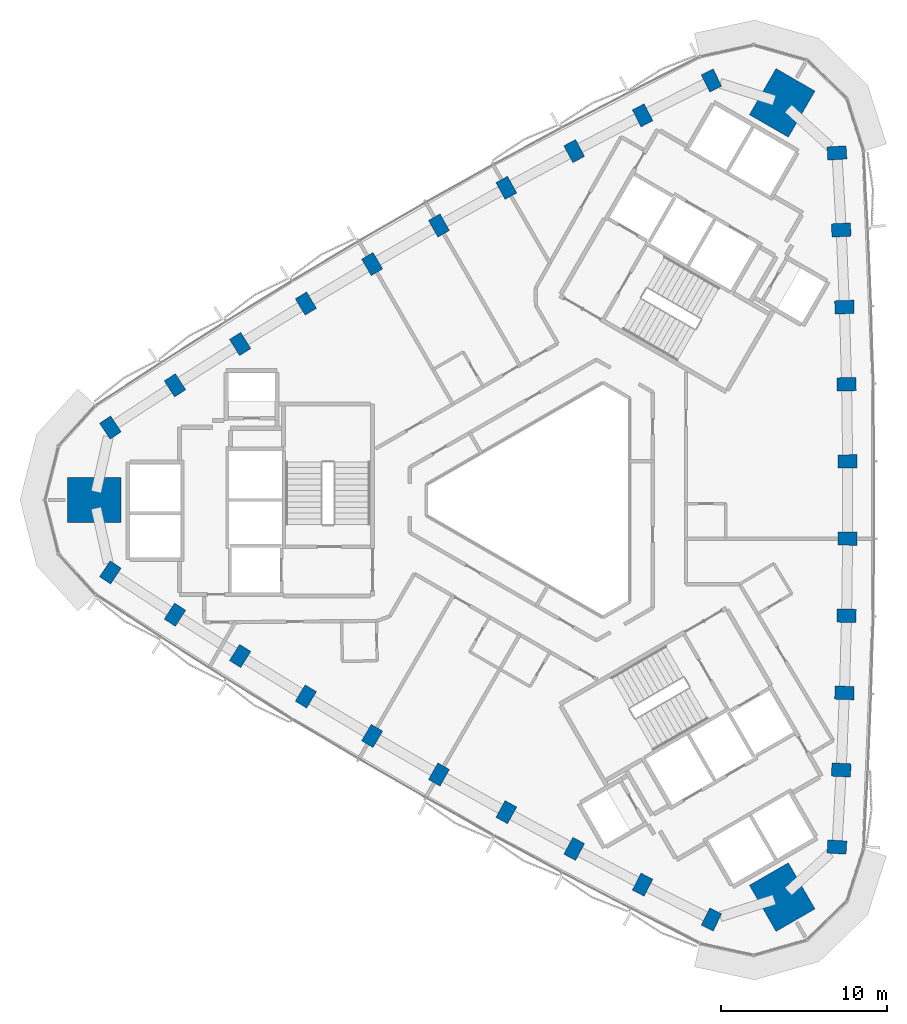
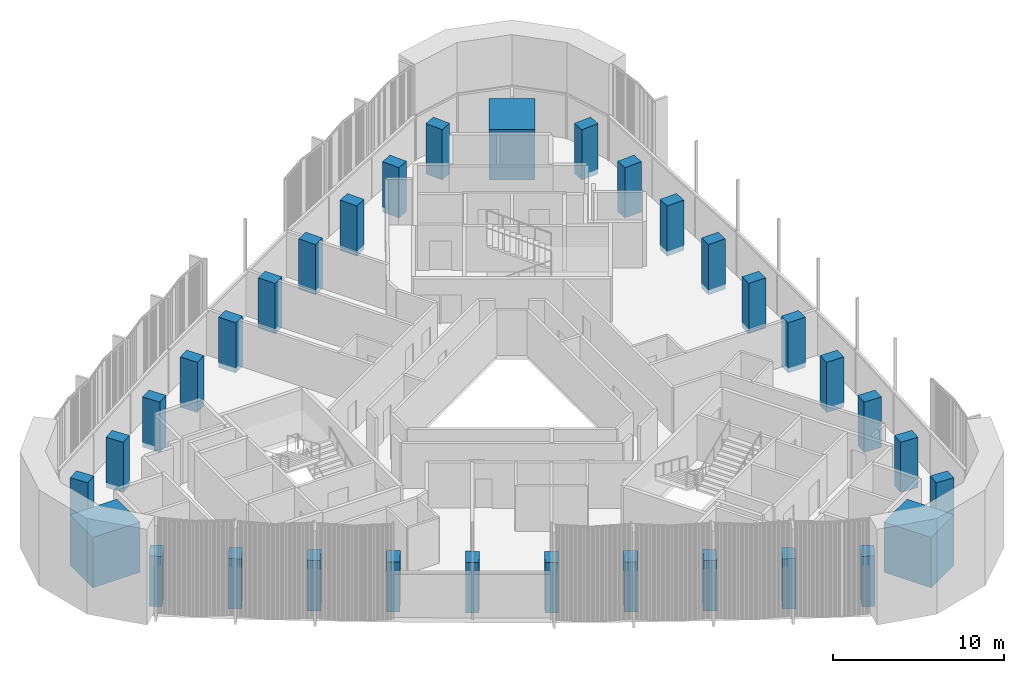
# One storey, part 1 of 14: 33 columns.
"""IFC4 building model written with IfcOpenShell, lengths in metres."""

from ifc_helpers import new_model, si_unit, direction, frame, origin, origin_2d, place, context, subcontext, project, spatial, rectangle, extrude, material, material_profile, profile_set, type_object, element, save


model = new_model("IFC4")

# Units and contexts
model_context = context("Model", 3, precision=1e-05, world=origin(), true_north=direction((0.0, 1.0)))
body_context = subcontext(model_context, "Body", "Model", "MODEL_VIEW")
ifc_project = project(units=[si_unit("LENGTHUNIT", "METRE"), si_unit("AREAUNIT", "SQUARE_METRE"), si_unit("VOLUMEUNIT", "CUBIC_METRE"), si_unit("PLANEANGLEUNIT", "RADIAN"), si_unit("MASSUNIT", "GRAM", prefix="KILO")], contexts=[model_context])

# Site, building, storey
site_placement = place(None, origin())
site = spatial("IfcSite", under=ifc_project, at=site_placement, CompositionType="ELEMENT")
building_placement = place(site_placement, origin())
building = spatial("IfcBuilding", under=site, at=building_placement, Name="Tamra Quay Hotel Tower", CompositionType="ELEMENT")
storey_placement = place(building_placement, frame((0.0, 0.0, 175.60009765625)))
storey = spatial("IfcBuildingStorey", under=building, at=storey_placement, Name="L43", CompositionType="ELEMENT", Elevation=175.60009765625)

# Columns
ifc_material = material(Name="Concrete M70", Category="concrete")
ifc_material_profile_1 = material_profile(ifc_material, rectangle(XDim=1.14990234375, YDim=0.800048828125, at=origin_2d()), Name="COLUMN RC 800x1150 Z4")
ifc_profile_set_1 = profile_set([ifc_material_profile_1], Name="Concrete M70")
column_type_1 = type_object("IfcColumnType", Name="COLUMN RC 800x1150 Z4", PredefinedType="COLUMN", material=ifc_profile_set_1)
for number, where, z_axis, x_axis, name in (
    (1, (17.069580078125, -20.856201171875, -0.35009765625), (0.0, 0.0, 1.0), (-0.998081035395, 0.061921295089, 0.0), "COL-C4E01-L43"),
    (2, (17.326416015625, -16.2255859375, -0.35009765625), (0.0, 0.0, 1.0), (-0.998830734492, 0.048344222345, 0.0), "COL-C4E02-L43"),
    (3, (17.519287109375, -11.592041015625, -0.35009765625), (0.0, 0.0, 1.0), (-0.999411600314, 0.034299462929, 0.0), "COL-C4E03-L43"),
    (4, (17.648193359375, -6.955810546875, -0.35009765625), (0.0, 0.0, 1.0), (-0.99977704996, 0.021115169271, 0.0), "COL-C4E04-L43"),
    (5, (17.71240234375, -2.318603515625, -0.35009765625), (0.0, 0.0, 1.0), (-0.999975214668, 0.007040600034, 0.0), "COL-C4E05-L43"),
    (6, (17.71240234375, 2.318603515625, -0.35009765625), (0.0, 0.0, 1.0), (0.999975214668, 0.007040600034, 0.0), "COL-C4E06-L43"),
    (7, (17.648193359375, 6.955810546875, -0.35009765625), (0.0, 0.0, 1.0), (0.99977704996, 0.021115169271, 0.0), "COL-C4E07-L43"),
    (8, (17.519287109375, 11.592041015625, -0.35009765625), (0.0, 0.0, 1.0), (0.999411600314, 0.034299462929, 0.0), "COL-C4E08-L43"),
    (9, (17.326416015625, 16.2255859375, -0.35009765625), (0.0, 0.0, 1.0), (0.998830734492, 0.048344222345, 0.0), "COL-C4E09-L43"),
    (10, (17.069580078125, 20.856201171875, -0.35009765625), (0.0, 0.0, 1.0), (0.998081035395, 0.061921295089, 0.0), "COL-C4E10-L43"),
    (11, (9.527099609375, 25.210693359375, -0.35009765625), (0.0, 0.0, 1.0), (-0.445415103115, 0.895324179232, 0.0), "COL-C4NW01-L43"),
    (12, (5.388427734375, 23.117919921875, -0.35009765625), (0.0, 0.0, 1.0), (-0.457548042569, 0.889184901323, 0.0), "COL-C4NW02-L43"),
    (13, (1.279296875, 20.96826171875, -0.35009765625), (0.0, 0.0, 1.0), (-0.470001593924, 0.882665566174, 0.0), "COL-C4NW03-L43"),
    (14, (-2.80029296875, 18.76171875, -0.35009765625), (0.0, 0.0, 1.0), (-0.481602251986, 0.876389908021, 0.0), "COL-C4NW04-L43"),
    (15, (-6.84814453125, 16.498779296875, -0.35009765625), (0.0, 0.0, 1.0), (-0.493890268847, 0.869524239075, 0.0), "COL-C4NW05-L43"),
    (16, (-10.8642578125, 14.18017578125, -0.35009765625), (0.0, 0.0, 1.0), (-0.506084945822, 0.862483639041, 0.0), "COL-C4NW06-L43"),
    (17, (-14.847900390625, 11.805908203125, -0.35009765625), (0.0, 0.0, 1.0), (-0.518174797974, 0.855274738751, 0.0), "COL-C4NW07-L43"),
    (18, (-18.798583984375, 9.376220703125, -0.35009765625), (0.0, 0.0, 1.0), (-0.52941000639, 0.848366103245, 0.0), "COL-C4NW08-L43"),
    (19, (-22.71484375, 6.892333984375, -0.35009765625), (0.0, 0.0, 1.0), (-0.541282691923, 0.840840678978, 0.0), "COL-C4NW09-L43"),
    (20, (-26.5966796875, 4.3544921875, -0.35009765625), (0.0, 0.0, 1.0), (-0.55266593228, 0.833402884143, 0.0), "COL-C4NW10-L43"),
    (21, (-26.5966796875, -4.3544921875, -0.35009765625), (0.0, 0.0, 1.0), (0.55266593228, 0.833402884143, 0.0), "COL-C4SW01-L43"),
    (22, (-22.71484375, -6.892333984375, -0.35009765625), (0.0, 0.0, 1.0), (0.541282691923, 0.840840678978, 0.0), "COL-C4SW02-L43"),
    (23, (-18.798583984375, -9.376220703125, -0.35009765625), (0.0, 0.0, 1.0), (0.52941000639, 0.848366103245, 0.0), "COL-C4SW03-L43"),
    (24, (-14.847900390625, -11.805908203125, -0.35009765625), (0.0, 0.0, 1.0), (0.518174797974, 0.855274738751, 0.0), "COL-C4SW04-L43"),
    (25, (-10.8642578125, -14.18017578125, -0.35009765625), (0.0, 0.0, 1.0), (0.506084945822, 0.862483639041, 0.0), "COL-C4SW05-L43"),
    (26, (-6.84814453125, -16.498779296875, -0.35009765625), (0.0, 0.0, 1.0), (0.493890268847, 0.869524239075, 0.0), "COL-C4SW06-L43"),
    (27, (-2.80029296875, -18.76171875, -0.35009765625), (0.0, 0.0, 1.0), (0.481602251986, 0.876389908021, 0.0), "COL-C4SW07-L43"),
    (28, (1.279296875, -20.96826171875, -0.35009765625), (0.0, 0.0, 1.0), (0.470001593924, 0.882665566174, 0.0), "COL-C4SW08-L43"),
    (29, (5.388427734375, -23.117919921875, -0.35009765625), (0.0, 0.0, 1.0), (0.457548042569, 0.889184901323, 0.0), "COL-C4SW09-L43"),
    (30, (9.527099609375, -25.210693359375, -0.35009765625), (0.0, 0.0, 1.0), (0.445415103115, 0.895324179232, 0.0), "COL-C4SW10-L43"),
):
    element("IfcColumn", number, at=place(storey_placement, frame(where, z_axis=z_axis, x_axis=x_axis)), inside=storey, type_object=column_type_1, Name=name, PredefinedType="COLUMN", context=body_context, shape_type="SweptSolid", body=[
        extrude(rectangle(XDim=1.14990234375, YDim=0.800048828125, at=origin_2d()), origin(), (0.0, 0.0, 1.0), 3.60009765625),
    ])
ifc_material_profile_2 = material_profile(ifc_material, rectangle(XDim=3.199951171875, YDim=2.699951171875, at=origin_2d()), Name="MEGA COLUMN RC 2700x3200 Z4")
ifc_profile_set_2 = profile_set([ifc_material_profile_2], Name="Concrete M70")
column_type_2 = type_object("IfcColumnType", Name="MEGA COLUMN RC 2700x3200 Z4", PredefinedType="COLUMN", material=ifc_profile_set_2)
for number, where, z_axis, x_axis, name in (
    (31, (13.779541015625, 23.86669921875, -0.35009765625), (0.0, 0.0, 1.0), (0.5, 0.866025403784, 0.0), "COL-M4NE-L43"),
    (32, (-27.55908203125, 0.0, -0.35009765625), (0.0, 0.0, 1.0), (1.0, 0.0, 0.0), "COL-M4W-L43"),
    (33, (13.779541015625, -23.86669921875, -0.35009765625), (0.0, 0.0, 1.0), (-0.5, 0.866025403784, 0.0), "COL-M4SE-L43"),
):
    element("IfcColumn", number, at=place(storey_placement, frame(where, z_axis=z_axis, x_axis=x_axis)), inside=storey, type_object=column_type_2, Name=name, PredefinedType="COLUMN", context=body_context, shape_type="SweptSolid", body=[
        extrude(rectangle(XDim=3.199951171875, YDim=2.699951171875, at=origin_2d()), origin(), (0.0, 0.0, 1.0), 3.60009765625),
    ])

save(model, "model.ifc")
